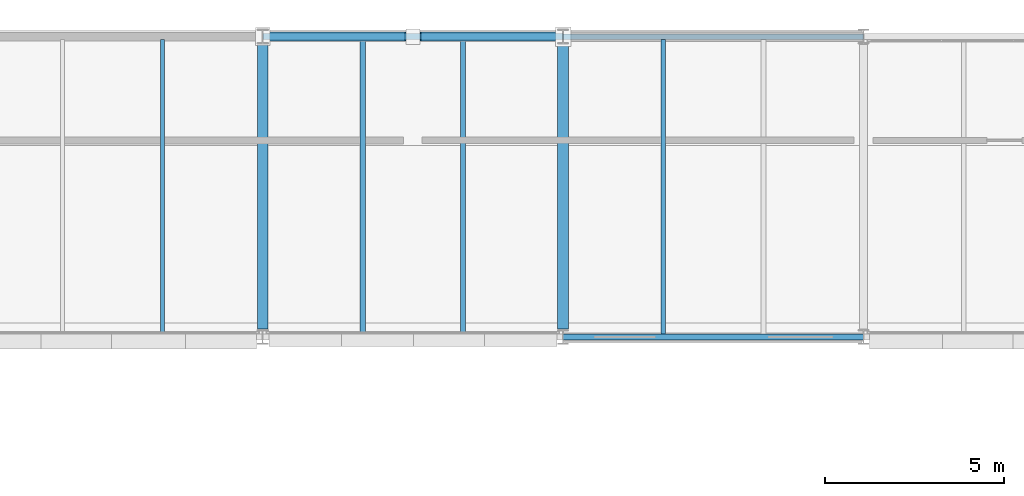
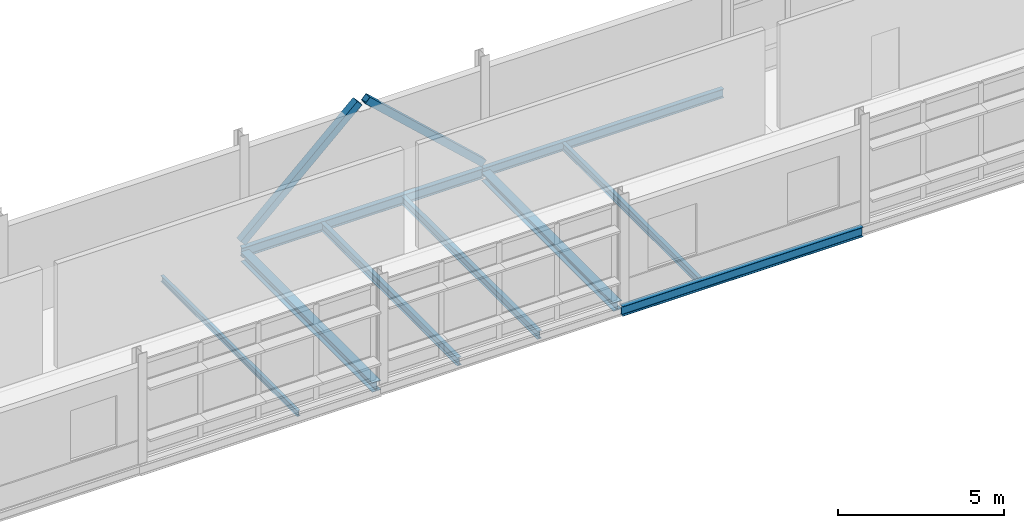
# One storey, part 44 of 103: 9 beams, 2 members.
"""IFC4 building model written with IfcOpenShell, lengths in metres."""

from ifc_helpers import new_model, si_unit, direction, frame, origin, origin_2d, place, context, subcontext, project, spatial, hollow_rectangle, i_section, extrude, material, material_profile, profile_set, type_object, element, save


model = new_model("IFC4")

# Units and contexts
model_context = context("Model", 3, precision=1e-05, world=origin(), true_north=direction((0.0, 1.0)))
body_context = subcontext(model_context, "Body", "Model", "MODEL_VIEW")
ifc_project = project(units=[si_unit("LENGTHUNIT", "METRE"), si_unit("AREAUNIT", "SQUARE_METRE"), si_unit("VOLUMEUNIT", "CUBIC_METRE"), si_unit("PLANEANGLEUNIT", "RADIAN"), si_unit("MASSUNIT", "GRAM", prefix="KILO")], contexts=[model_context])

# Site, building, storey
site_placement = place(None, origin())
site = spatial("IfcSite", under=ifc_project, at=site_placement, CompositionType="ELEMENT")
building_placement = place(site_placement, origin())
building = spatial("IfcBuilding", under=site, at=building_placement, Name="Mersafa Astral City Hall", CompositionType="ELEMENT")
storey_placement = place(building_placement, frame((0.0, 0.0, 18.0)))
storey = spatial("IfcBuildingStorey", under=building, at=storey_placement, Name="L04", CompositionType="ELEMENT", Elevation=18.0)

# Beams
ifc_material = material(Name="Steel S355", Category="steel")
ifc_material_profile_1 = material_profile(ifc_material, i_section(OverallWidth=0.300048828125, OverallDepth=0.31005859375, WebThickness=0.009033203125, FlangeThickness=0.015380859375, FilletRadius=0.027099609375, at=origin_2d()), Name="HEA 320")
ifc_profile_set_1 = profile_set([ifc_material_profile_1], Name="Steel S355")
beam_type_1 = type_object("IfcBeamType", Name="STR-BM-HEA320", PredefinedType="BEAM", material=ifc_profile_set_1)
beam_1_placement = place(storey_placement, frame((84.0, 117.820068359375, -0.340087890625), z_axis=(0.0, 1.0, 0.0), x_axis=(-1.0, 0.0, 0.0)))
element("IfcBeam", 1, at=beam_1_placement, inside=storey, type_object=beam_type_1, Name="L04 Primary girder Y 10-14", PredefinedType="BEAM", context=body_context, shape_type="SweptSolid", body=[
    extrude(i_section(OverallWidth=0.300048828125, OverallDepth=0.31005859375, WebThickness=0.009033203125, FlangeThickness=0.015380859375, FilletRadius=0.027099609375, at=origin_2d()), origin(), (0.0, 0.0, 1.0), 7.9599609375),
])
ifc_material_profile_2 = material_profile(ifc_material, i_section(OverallWidth=0.300048828125, OverallDepth=0.35009765625, WebThickness=0.010009765625, FlangeThickness=0.017578125, FilletRadius=0.027099609375, at=origin_2d()), Name="HEA 360")
ifc_profile_set_2 = profile_set([ifc_material_profile_2], Name="Steel S355")
beam_type_2 = type_object("IfcBeamType", Name="STR-BM-HEA360", PredefinedType="BEAM", material=ifc_profile_set_2)
beam_2_placement = place(storey_placement, frame((75.60009765625, 117.820068359375, -0.360107421875), z_axis=(0.0, 1.0, 0.0), x_axis=(-1.0, 0.0, 0.0)))
element("IfcBeam", 2, at=beam_2_placement, inside=storey, type_object=beam_type_2, Name="L04 Primary girder Y 9-14", PredefinedType="BEAM", context=body_context, shape_type="SweptSolid", body=[
    extrude(i_section(OverallWidth=0.300048828125, OverallDepth=0.35009765625, WebThickness=0.010009765625, FlangeThickness=0.017578125, FilletRadius=0.027099609375, at=origin_2d()), origin(), (0.0, 0.0, 1.0), 7.9599609375),
])
ifc_material_profile_3 = material_profile(ifc_material, i_section(OverallWidth=0.110107421875, OverallDepth=0.219970703125, WebThickness=0.005859375, FlangeThickness=0.00927734375, FilletRadius=0.011962890625, at=origin_2d()), Name="IPE 220")
ifc_profile_set_3 = profile_set([ifc_material_profile_3], Name="Steel S355")
beam_type_3 = type_object("IfcBeamType", Name="STR-BM-JOIST-IPE220", PredefinedType="JOIST", material=ifc_profile_set_3)
beam_3_placement = place(storey_placement, frame((72.800048828125, 117.679931640625, -0.294921875), z_axis=(0.0, 1.0, 0.0), x_axis=(-1.0, 0.0, 0.0)))
element("IfcBeam", 3, at=beam_3_placement, inside=storey, type_object=beam_type_3, Name="L04 Composite secondary floor joist 705", PredefinedType="JOIST", context=body_context, shape_type="SweptSolid", body=[
    extrude(i_section(OverallWidth=0.110107421875, OverallDepth=0.219970703125, WebThickness=0.005859375, FlangeThickness=0.00927734375, FilletRadius=0.011962890625, at=origin_2d()), origin(), (0.0, 0.0, 1.0), 8.2451171875),
])
ifc_material_profile_4 = material_profile(ifc_material, i_section(OverallWidth=0.135009765625, OverallDepth=0.27001953125, WebThickness=0.006591796875, FlangeThickness=0.01025390625, FilletRadius=0.014892578125, at=origin_2d()), Name="IPE 270")
ifc_profile_set_4 = profile_set([ifc_material_profile_4], Name="Steel S355")
beam_type_4 = type_object("IfcBeamType", Name="STR-BM-JOIST-IPE270", PredefinedType="JOIST", material=ifc_profile_set_4)
beam_4_placement = place(storey_placement, frame((86.800048828125, 117.679931640625, -0.320068359375), z_axis=(0.0, 1.0, 0.0), x_axis=(-1.0, 0.0, 0.0)))
element("IfcBeam", 4, at=beam_4_placement, inside=storey, type_object=beam_type_4, Name="L04 Composite secondary floor joist 708", PredefinedType="JOIST", context=body_context, shape_type="SweptSolid", body=[
    extrude(i_section(OverallWidth=0.135009765625, OverallDepth=0.27001953125, WebThickness=0.006591796875, FlangeThickness=0.01025390625, FilletRadius=0.014892578125, at=origin_2d()), origin(), (0.0, 0.0, 1.0), 8.2451171875),
])
ifc_material_profile_5 = material_profile(ifc_material, i_section(OverallWidth=0.14990234375, OverallDepth=0.300048828125, WebThickness=0.007080078125, FlangeThickness=0.0107421875, FilletRadius=0.014892578125, at=origin_2d()), Name="IPE 300")
ifc_profile_set_5 = profile_set([ifc_material_profile_5], Name="Steel S355")
beam_type_5 = type_object("IfcBeamType", Name="STR-BM-JOIST-IPE300", PredefinedType="JOIST", material=ifc_profile_set_5)
for number, where, z_axis, x_axis, name in (
    (5, (78.39990234375, 117.675048828125, -0.3349609375), (0.0, 1.0, 0.0), (-1.0, 0.0, 0.0), "L04 Composite secondary floor joist 706"),
    (6, (81.199951171875, 117.675048828125, -0.3349609375), (0.0, 1.0, 0.0), (-1.0, 0.0, 0.0), "L04 Composite secondary floor joist 707"),
):
    element("IfcBeam", number, at=place(storey_placement, frame(where, z_axis=z_axis, x_axis=x_axis)), inside=storey, type_object=beam_type_5, Name=name, PredefinedType="JOIST", context=body_context, shape_type="SweptSolid", body=[
        extrude(i_section(OverallWidth=0.14990234375, OverallDepth=0.300048828125, WebThickness=0.007080078125, FlangeThickness=0.0107421875, FilletRadius=0.014892578125, at=origin_2d()), origin(), (0.0, 0.0, 1.0), 8.244873046875),
    ])
ifc_material_profile_6 = material_profile(ifc_material, i_section(OverallWidth=0.159912109375, OverallDepth=0.330078125, WebThickness=0.007568359375, FlangeThickness=0.011474609375, FilletRadius=0.01806640625, at=origin_2d()), Name="IPE 330")
ifc_profile_set_6 = profile_set([ifc_material_profile_6], Name="Steel S355")
beam_type_6 = type_object("IfcBeamType", Name="STR-BM-SPANDREL-IPE330", PredefinedType="SPANDREL", material=ifc_profile_set_6)
beam_5_placement = place(storey_placement, frame((84.0029296875, 126.0, -0.35009765625), z_axis=(1.0, 0.0, 0.0), x_axis=(0.0, 1.0, 0.0)))
element("IfcBeam", 7, at=beam_5_placement, inside=storey, type_object=beam_type_6, Name="L04 Primary girder X 10-15", PredefinedType="SPANDREL", context=body_context, shape_type="SweptSolid", body=[
    extrude(i_section(OverallWidth=0.159912109375, OverallDepth=0.330078125, WebThickness=0.007568359375, FlangeThickness=0.011474609375, FilletRadius=0.01806640625, at=origin_2d()), origin(), (0.0, 0.0, 1.0), 8.39404296875),
])
ifc_material_profile_7 = material_profile(ifc_material, i_section(OverallWidth=0.169921875, OverallDepth=0.360107421875, WebThickness=0.008056640625, FlangeThickness=0.0126953125, FilletRadius=0.01806640625, at=origin_2d()), Name="IPE 360")
ifc_profile_set_7 = profile_set([ifc_material_profile_7], Name="Steel S355")
beam_type_7 = type_object("IfcBeamType", Name="STR-BM-SPANDREL-IPE360", PredefinedType="SPANDREL", material=ifc_profile_set_7)
for number, where, z_axis, x_axis, name in (
    (8, (84.0029296875, 117.60009765625, -0.364990234375), (1.0, 0.0, 0.0), (0.0, 1.0, 0.0), "L04 Primary girder X 10-14"),
    (9, (75.60302734375, 126.0, -0.364990234375), (1.0, 0.0, 0.0), (0.0, 1.0, 0.0), "L04 Primary girder X 9-15"),
):
    element("IfcBeam", number, at=place(storey_placement, frame(where, z_axis=z_axis, x_axis=x_axis)), inside=storey, type_object=beam_type_7, Name=name, PredefinedType="SPANDREL", context=body_context, shape_type="SweptSolid", body=[
        extrude(i_section(OverallWidth=0.169921875, OverallDepth=0.360107421875, WebThickness=0.008056640625, FlangeThickness=0.0126953125, FilletRadius=0.01806640625, at=origin_2d()), origin(), (0.0, 0.0, 1.0), 8.39404296875),
    ])

# Members
ifc_material_profile_8 = material_profile(ifc_material, hollow_rectangle(XDim=0.25, YDim=0.25, WallThickness=0.012451171875, at=origin_2d()), Name="RHS 250x250x12.5")
ifc_profile_set_8 = profile_set([ifc_material_profile_8], Name="Steel S355")
member_type = type_object("IfcMemberType", Name="STR-MBR-STRUT-RHS250", PredefinedType="BRACE", material=ifc_profile_set_8)
for number, where, z_axis, x_axis, name in (
    (10, (75.597900390625, 126.0, 0.02001953125), (0.734762808877, 0.0, 0.678324122151), (0.0, 1.0, 0.0), "L04 Chevron lateral brace 12A"),
    (11, (84.001953125, 126.0, 0.02001953125), (-0.734762808877, 0.0, 0.678324122151), (0.0, -1.0, 0.0), "L04 Chevron lateral brace 12B"),
):
    element("IfcMember", number, at=place(storey_placement, frame(where, z_axis=z_axis, x_axis=x_axis)), inside=storey, type_object=member_type, Name=name, PredefinedType="BRACE", context=body_context, shape_type="SweptSolid", body=[
        extrude(hollow_rectangle(XDim=0.25, YDim=0.25, WallThickness=0.012451171875, at=origin_2d()), origin(), (0.0, 0.0, 1.0), 5.5283203125),
    ])

save(model, "model.ifc")
